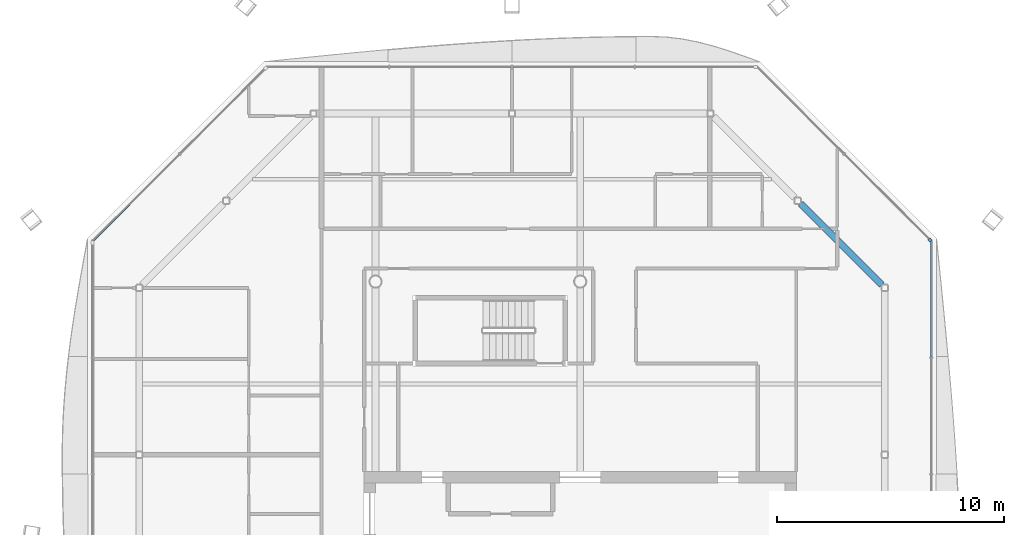
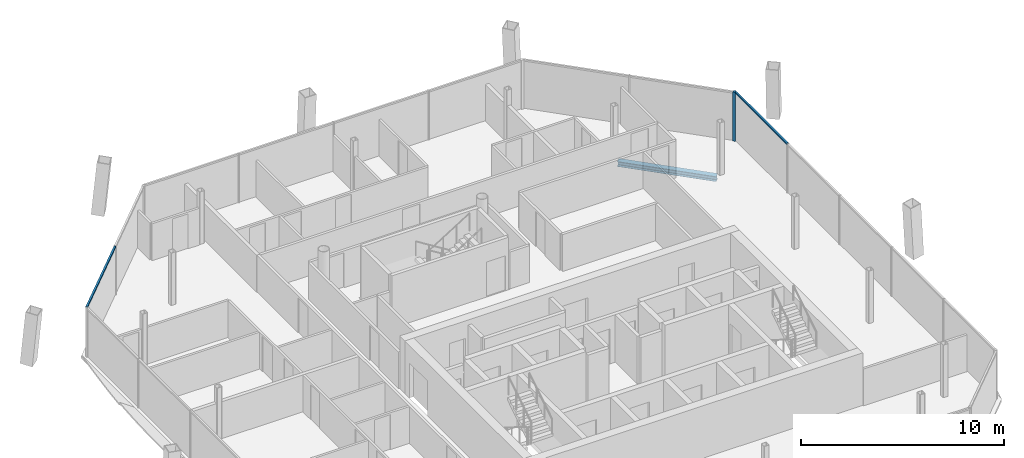
# One storey, part 8 of 17: 3 members, 1 beam, 3 elements without a shape of their own.
"""IFC4 building model written with IfcOpenShell, lengths in metres."""

import ifcopenshell
import ifcopenshell.guid

model = None  # the IFC model being written
_history = None  # IfcOwnerHistory: only IFC2X3 demands one
_inside = {}  # id of a spatial element -> (the spatial element, [elements in it])
_under = {}  # id of a project, library or spatial element -> (it, [spatial elements below it])
_declared = {}  # id of a project -> (the project, [libraries it declares])
_typed = {}  # id of a type object -> (the type object, [elements of that type])
_made_of = {}  # id of a material, layer set ... -> (it, [elements and type objects made of it])


def new_model(schema):
    """Start an empty IFC model of exactly this schema.

    Asked for "IFC4X3", IfcOpenShell would pick the latest addendum, in which some entities
    have other attributes; the version numbers below select the first issue.
    IFC2X3 requires an IfcOwnerHistory on every rooted entity: one is made here for all.
    """
    global model, _history
    if schema == "IFC4X3":
        model = ifcopenshell.file(schema_version=(4, 3, 0, 0))
    else:
        model = ifcopenshell.file(schema=schema)
    _inside.clear()
    _under.clear()
    _declared.clear()
    _typed.clear()
    _made_of.clear()
    _history = None
    if model.schema == "IFC2X3":
        org = make("IfcOrganization", Name="unknown")
        user = make(
            "IfcPersonAndOrganization",
            ThePerson=make("IfcPerson", FamilyName="unknown"),
            TheOrganization=org,
        )
        app = make(
            "IfcApplication",
            ApplicationDeveloper=org,
            Version="unknown",
            ApplicationFullName="unknown",
            ApplicationIdentifier="unknown",
        )
        _history = make(
            "IfcOwnerHistory",
            OwningUser=user,
            OwningApplication=app,
            ChangeAction="ADDED",
            CreationDate=0,
        )
    return model


def make(cls, **values):
    """One entity of the class cls with the attributes given. An attribute that is None is left unset."""
    return model.create_entity(
        cls, **{name: value for name, value in values.items() if value is not None}
    )


def rooted(cls, **values):
    """An entity with a GlobalId (a new one), such as an element, a storey or a relation."""
    return make(cls, GlobalId=ifcopenshell.guid.new(), OwnerHistory=_history, **values)


def si_unit(unit_type, name, prefix=None):
    """IfcSIUnit, for example si_unit("LENGTHUNIT", "METRE", prefix="MILLI")."""
    return make("IfcSIUnit", UnitType=unit_type, Prefix=prefix, Name=name)


def assignment(units):
    """IfcUnitAssignment: the units of a project."""
    return None if units is None else make("IfcUnitAssignment", Units=units)


def point(xyz):
    """IfcCartesianPoint."""
    return None if xyz is None else make("IfcCartesianPoint", Coordinates=xyz)


def direction(xyz):
    """IfcDirection."""
    return None if xyz is None else make("IfcDirection", DirectionRatios=xyz)


def frame(location, z_axis=None, x_axis=None):
    """IfcAxis2Placement3D, a coordinate frame: its origin and axes. An axis left out is left unset."""
    return make(
        "IfcAxis2Placement3D",
        Location=point(location),
        Axis=direction(z_axis),
        RefDirection=direction(x_axis),
    )


def frame_2d(location, x_axis=None):
    """IfcAxis2Placement2D, a coordinate frame in the plane: its origin and x axis."""
    return make(
        "IfcAxis2Placement2D", Location=point(location), RefDirection=direction(x_axis)
    )


def origin():
    """The frame at (0, 0, 0) with its axes left unset."""
    return frame((0.0, 0.0, 0.0))


def origin_2d():
    """The frame at (0, 0) in the plane with its x axis left unset."""
    return frame_2d((0.0, 0.0))


def place(relative_to, where):
    """IfcLocalPlacement: puts the frame where relative to a parent placement (None: the world)."""
    return make(
        "IfcLocalPlacement", PlacementRelTo=relative_to, RelativePlacement=where
    )


def context(
    kind, dimensions, precision=None, world=None, true_north=None, identifier=None
):
    """IfcGeometricRepresentationContext, for example the 3D "Model" context."""
    return make(
        "IfcGeometricRepresentationContext",
        ContextIdentifier=identifier,
        ContextType=kind,
        CoordinateSpaceDimension=dimensions,
        Precision=precision,
        WorldCoordinateSystem=world,
        TrueNorth=true_north,
    )


def subcontext(parent, identifier, kind, view, scale=None):
    """IfcGeometricRepresentationSubContext, for example "Body" below "Model"."""
    return make(
        "IfcGeometricRepresentationSubContext",
        ContextIdentifier=identifier,
        ContextType=kind,
        ParentContext=parent,
        TargetScale=scale,
        TargetView=view,
    )


def project(units=None, contexts=None):
    """IfcProject with its units and contexts."""
    return rooted(
        "IfcProject",
        Name="project",
        RepresentationContexts=contexts,
        UnitsInContext=assignment(units),
    )


def spatial(cls, under=None, at=None, **own):
    """A site, building, storey or space (cls), placed at a placement, below another one or the project."""
    s = rooted(cls, ObjectPlacement=at, **own)
    if under is not None:
        _under.setdefault(under.id(), (under, []))[1].append(s)
    return s


def profile(cls, at=None, kind="AREA", **sizes):
    """A parametric profile (cls). Its sizes go by their IFC names, for example OverallWidth=200.0."""
    return make(cls, ProfileType=kind, Position=at, **sizes)


def rectangle(**sizes):
    """IfcRectangleProfileDef."""
    return profile("IfcRectangleProfileDef", **sizes)


def i_section(**sizes):
    """IfcIShapeProfileDef."""
    return profile("IfcIShapeProfileDef", **sizes)


def extrude(swept, where, along, depth):
    """IfcExtrudedAreaSolid: the profile swept, set in the frame where, extruded along a direction by depth."""
    return make(
        "IfcExtrudedAreaSolid",
        SweptArea=swept,
        Position=where,
        ExtrudedDirection=direction(along),
        Depth=depth,
    )


def shape(context_of_items, identifier, shape_type, items):
    """IfcShapeRepresentation: the items that make up one representation, for example the "Body"."""
    return make(
        "IfcShapeRepresentation",
        ContextOfItems=context_of_items,
        RepresentationIdentifier=identifier,
        RepresentationType=shape_type,
        Items=items,
    )


def material(Name=None, Category=None):
    """IfcMaterial."""
    return make("IfcMaterial", Name=Name, Category=Category)


def material_profile(
    of_material, cross_section, Name=None, Category=None, Priority=None
):
    """IfcMaterialProfile: a cross section and its material."""
    return make(
        "IfcMaterialProfile",
        Name=Name,
        Material=of_material,
        Profile=cross_section,
        Priority=Priority,
        Category=Category,
    )


def profile_set(profiles, Name=None, composite=None):
    """IfcMaterialProfileSet."""
    return make(
        "IfcMaterialProfileSet",
        Name=Name,
        MaterialProfiles=profiles,
        CompositeProfile=composite,
    )


def made_of(thing, what):
    """Note that an element or type object is made of a material, layer set ...; save() writes the relation."""
    if what is not None:
        _made_of.setdefault(what.id(), (what, []))[1].append(thing)
    return thing


def type_object(cls, material=None, **own):
    """A type object (cls), such as IfcWallType, which elements share."""
    return made_of(rooted(cls, **own), material)


def element(
    cls,
    number,
    at=None,
    inside=None,
    cuts=None,
    type_object=None,
    material=None,
    context=None,
    identifier="Body",
    shape_type=None,
    held_by="IfcProductDefinitionShape",
    body=None,
    shapes=None,
    **own,
):
    """One element of the class cls, such as IfcWall. Its Tag is "e" and its number.

    at: its placement. inside: the storey or other place that contains it. cuts: it is an
    opening in that element (IfcRelVoidsElement). A single representation is given by context,
    identifier, shape_type and body (its items); several are given by shapes. held_by: the class
    of the entity that holds the representations. save() writes the other relations.
    """
    e = rooted(cls, Tag="e%d" % number, ObjectPlacement=at, **own)
    if body is not None:
        shapes = [shape(context, identifier, shape_type, body)]
    if shapes is not None:
        e.Representation = make(held_by, Representations=shapes)
    if inside is not None:
        _inside.setdefault(inside.id(), (inside, []))[1].append(e)
    if cuts is not None:
        rooted(
            "IfcRelVoidsElement", RelatingBuildingElement=cuts, RelatedOpeningElement=e
        )
    if type_object is not None:
        _typed.setdefault(type_object.id(), (type_object, []))[1].append(e)
    return made_of(e, material)


def aggregate(whole, parts):
    """IfcRelAggregates: a whole, such as a stair, and the parts it consists of."""
    return rooted("IfcRelAggregates", RelatingObject=whole, RelatedObjects=parts)


def save(model, path):
    """Write the relations noted so far, then the file.

    IfcRelAggregates (storeys below a building ...), IfcRelContainedInSpatialStructure (elements
    in a storey), IfcRelDefinesByType, IfcRelAssociatesMaterial and IfcRelDeclares: one each for
    every whole, place, type object, material and project.
    """
    for whole, parts in _under.values():
        aggregate(whole, parts)
    for where, things in _inside.values():
        rooted(
            "IfcRelContainedInSpatialStructure",
            RelatedElements=things,
            RelatingStructure=where,
        )
    for kind, things in _typed.values():
        rooted("IfcRelDefinesByType", RelatedObjects=things, RelatingType=kind)
    for what, things in _made_of.values():
        rooted("IfcRelAssociatesMaterial", RelatedObjects=things, RelatingMaterial=what)
    for by, libraries in _declared.values():
        rooted("IfcRelDeclares", RelatingContext=by, RelatedDefinitions=libraries)
    model.write(path)


model = new_model("IFC4")

# Units and contexts
model_context = context("Model", 3, precision=1e-05, world=origin(), true_north=direction((0.0, 1.0)))
body_context = subcontext(model_context, "Body", "Model", "MODEL_VIEW")
ifc_project = project(units=[si_unit("LENGTHUNIT", "METRE"), si_unit("AREAUNIT", "SQUARE_METRE"), si_unit("VOLUMEUNIT", "CUBIC_METRE"), si_unit("PLANEANGLEUNIT", "RADIAN"), si_unit("MASSUNIT", "GRAM", prefix="KILO")], contexts=[model_context])

# Site, building, storey
site_placement = place(None, origin())
site = spatial("IfcSite", under=ifc_project, at=site_placement, CompositionType="ELEMENT")
building_placement = place(site_placement, origin())
building = spatial("IfcBuilding", under=site, at=building_placement, Name="Tskaro Facet Tower", CompositionType="ELEMENT")
storey_placement = place(building_placement, frame((0.0, 0.0, 232.949951171875)))
storey = spatial("IfcBuildingStorey", under=building, at=storey_placement, Name="L60", CompositionType="ELEMENT", Elevation=232.949951171875)

# Curtain wall, member
ifc_material_1 = material(Name="Bronze anodised aluminium 6063-T6", Category="aluminium")
curtain_wall_type = type_object("IfcCurtainWallType", Name="Bronze residence curtain wall (FW3)", PredefinedType="NOTDEFINED", material=ifc_material_1)
curtain_wall_1_placement = place(storey_placement, origin())
curtain_wall_1 = element("IfcCurtainWall", 1, at=curtain_wall_1_placement, inside=storey, type_object=curtain_wall_type, Name="FW3 north-east facet L60", PredefinedType="NOTDEFINED")
ifc_material_profile_1 = material_profile(ifc_material_1, rectangle(XDim=0.139892578125, YDim=0.139892578125, at=origin_2d()), Name="Corner post 140x140")
ifc_profile_set_1 = profile_set([ifc_material_profile_1], Name="Bronze anodised aluminium 6063-T6")
member_type_1 = type_object("IfcMemberType", Name="FW3 bronze corner post 140x140", PredefinedType="MULLION", material=ifc_profile_set_1)
member_1_placement = place(storey_placement, frame((15.387451171875, 10.82861328125, 0.0), z_axis=(0.0, 0.0, 1.0), x_axis=(-0.707106781187, 0.707106781187, 0.0)))
member_1 = element("IfcMember", 2, at=member_1_placement, type_object=member_type_1, Name="FW3 north-east corner post", PredefinedType="MULLION", context=body_context, shape_type="SweptSolid", body=[
    extrude(rectangle(XDim=0.139892578125, YDim=0.139892578125, at=origin_2d()), origin(), (0.0, 0.0, 1.0), 2.949951171875),
])
aggregate(curtain_wall_1, [member_1])

curtain_wall_2_placement = place(storey_placement, origin())
curtain_wall_2 = element("IfcCurtainWall", 3, at=curtain_wall_2_placement, inside=storey, type_object=curtain_wall_type, Name="FW3 east facet L60", PredefinedType="NOTDEFINED")
ifc_material_profile_2 = material_profile(ifc_material_1, rectangle(XDim=0.10009765625, YDim=0.090087890625, at=origin_2d()), Name="Transom 100x90")
ifc_profile_set_2 = profile_set([ifc_material_profile_2], Name="Bronze anodised aluminium 6063-T6")
member_type_2 = type_object("IfcMemberType", Name="FW3 bronze transom 100x90", PredefinedType="USERDEFINED", material=ifc_profile_set_2)
member_2_placement = place(storey_placement, frame((15.43701171875, 5.679443359375, 2.905029296875), z_axis=(0.0, 1.0, 0.0), x_axis=(-1.0, 0.0, 0.0)))
member_2 = element("IfcMember", 4, at=member_2_placement, type_object=member_type_2, Name="FW3 east transom 5.1", ObjectType="TRANSOM", PredefinedType="USERDEFINED", context=body_context, shape_type="SweptSolid", body=[
    extrude(rectangle(XDim=0.10009765625, YDim=0.090087890625, at=origin_2d()), origin(), (0.0, 0.0, 1.0), 5.099609375),
])
aggregate(curtain_wall_2, [member_2])

curtain_wall_3_placement = place(storey_placement, origin())
curtain_wall_3 = element("IfcCurtainWall", 5, at=curtain_wall_3_placement, inside=storey, type_object=curtain_wall_type, Name="FW3 north-west facet L60", PredefinedType="NOTDEFINED")
member_3_placement = place(storey_placement, frame((-17.625732421875, 14.59033203125, 2.905029296875), z_axis=(-0.707106781187, -0.707106781187, 0.0), x_axis=(0.707106781187, -0.707106781187, 0.0)))
member_3 = element("IfcMember", 6, at=member_3_placement, type_object=member_type_2, Name="FW3 north-west transom 2.1", ObjectType="TRANSOM", PredefinedType="USERDEFINED", context=body_context, shape_type="SweptSolid", body=[
    extrude(rectangle(XDim=0.10009765625, YDim=0.090087890625, at=origin_2d()), origin(), (0.0, 0.0, 1.0), 5.389892578125),
])
aggregate(curtain_wall_3, [member_3])

# Beam
ifc_material_2 = material(Name="Steel S355J2", Category="steel")
ifc_material_profile_3 = material_profile(ifc_material_2, i_section(OverallWidth=0.300048828125, OverallDepth=0.300048828125, WebThickness=0.010986328125, FlangeThickness=0.01904296875, FilletRadius=0.027099609375, at=origin_2d()), Name="HE 300 B")
ifc_profile_set_3 = profile_set([ifc_material_profile_3], Name="Steel S355J2")
beam_type = type_object("IfcBeamType", Name="HE 300 B ring beam", PredefinedType="BEAM", material=ifc_profile_set_3)
beam_placement = place(storey_placement, frame((13.255126953125, 8.86083984375, -0.2900390625), z_axis=(-0.707106781187, 0.707106781187, 0.0), x_axis=(-0.707106781187, -0.707106781187, 0.0)))
element("IfcBeam", 7, at=beam_placement, inside=storey, type_object=beam_type, Name="HE 300 B EB8-5", PredefinedType="BEAM", context=body_context, shape_type="SweptSolid", body=[
    extrude(i_section(OverallWidth=0.300048828125, OverallDepth=0.300048828125, WebThickness=0.010986328125, FlangeThickness=0.01904296875, FilletRadius=0.027099609375, at=origin_2d()), origin(), (0.0, 0.0, 1.0), 5.036376953125),
])

save(model, "model.ifc")
